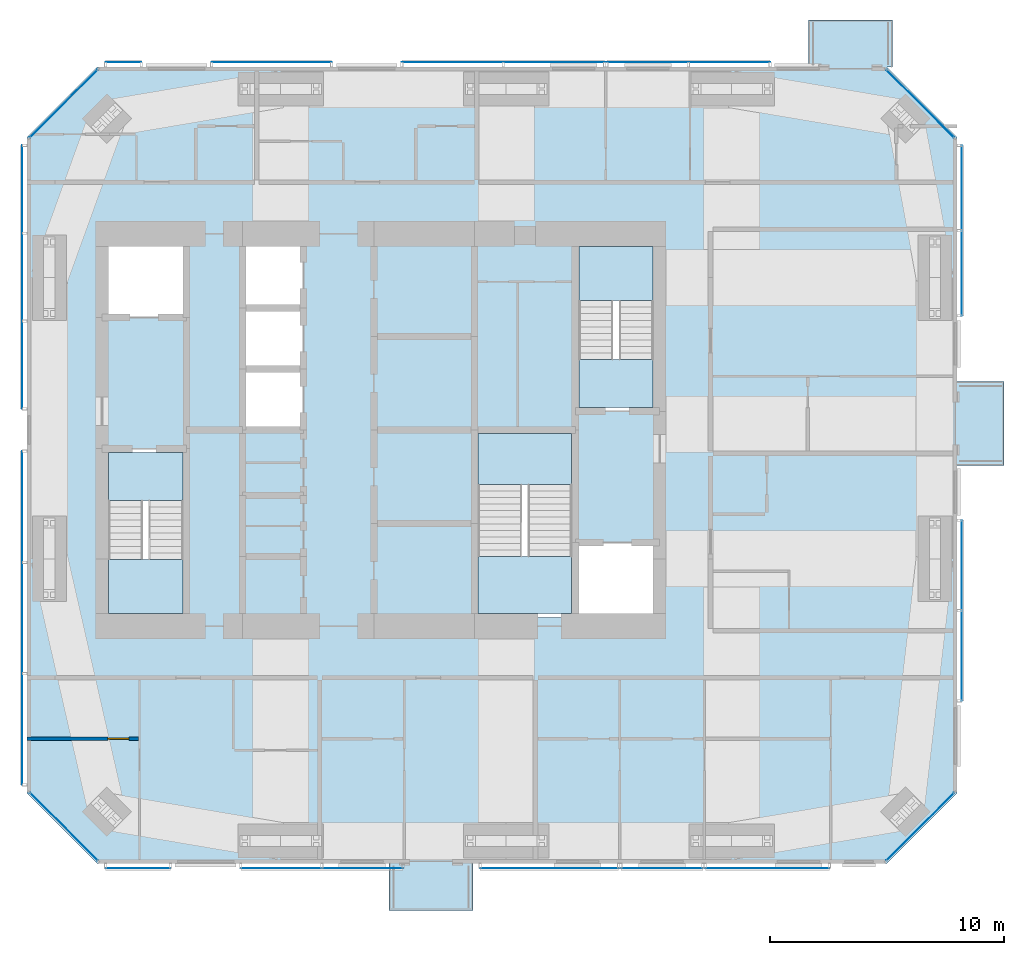
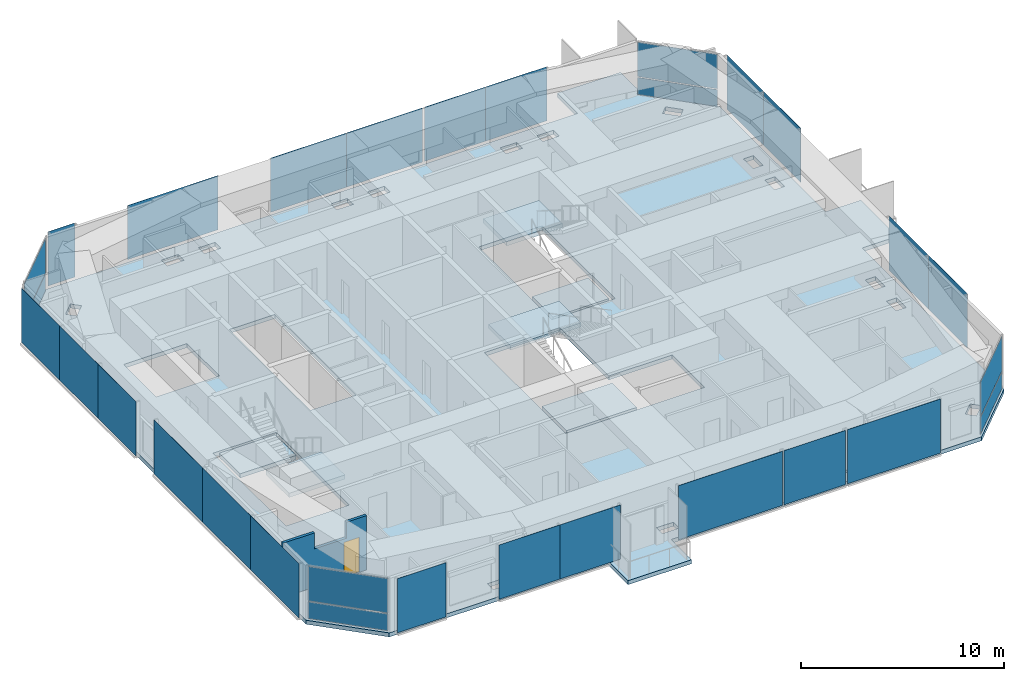
# One storey, part 11 of 18: 30 plates, 7 slabs, 1 door, 1 wall, 1 opening, 20 elements without a shape of their own.
"""IFC4 building model written with IfcOpenShell, lengths in metres."""

from ifc_helpers import new_model, si_unit, direction, frame, frame_2d, origin, origin_2d, place, context, subcontext, project, spatial, polyline, rectangle, outline, extrude, material, layer, layer_set, constituent, constituent_set, type_object, element, fill, aggregate, save


model = new_model("IFC4")

# Units and contexts
model_context = context("Model", 3, precision=1e-05, world=origin(), true_north=direction((0.0, 1.0)))
body_context = subcontext(model_context, "Body", "Model", "MODEL_VIEW")
ifc_project = project(units=[si_unit("LENGTHUNIT", "METRE"), si_unit("AREAUNIT", "SQUARE_METRE"), si_unit("VOLUMEUNIT", "CUBIC_METRE"), si_unit("PLANEANGLEUNIT", "RADIAN"), si_unit("MASSUNIT", "GRAM", prefix="KILO")], contexts=[model_context])

# Site, building, storey
site_placement = place(None, origin())
site = spatial("IfcSite", under=ifc_project, at=site_placement, CompositionType="ELEMENT")
building_placement = place(site_placement, origin())
building = spatial("IfcBuilding", under=site, at=building_placement, Name="Jalousie Tower", CompositionType="ELEMENT")
storey_placement = place(building_placement, frame((0.0, 0.0, 235.449951171875)))
storey = spatial("IfcBuildingStorey", under=building, at=storey_placement, Name="L64", CompositionType="ELEMENT", Elevation=235.449951171875)

# Curtain wall, plates
ifc_material_1 = material(Name="Aluminium curtain wall", Category="aluminium")
curtain_wall_type_1 = type_object("IfcCurtainWallType", Name="CORNER WINDOW WALL", PredefinedType="USERDEFINED", material=ifc_material_1)
curtain_wall_1_placement = place(storey_placement, origin())
curtain_wall_1 = element("IfcCurtainWall", 1, at=curtain_wall_1_placement, inside=storey, type_object=curtain_wall_type_1, Name="Corner Window Wall L64 2", ObjectType="CORNER WINDOW WALL", PredefinedType="USERDEFINED")
ifc_material_2 = material(Name="Laminated impact-rated spandrel glass", Category="glass")
ifc_layer_1 = layer(ifc_material_2, 0.028076171875)
ifc_layer_set_1 = layer_set([ifc_layer_1], Name="Laminated impact-rated spandrel glass")
plate_type_1 = type_object("IfcPlateType", Name="CORNER WINDOW WALL PANEL", PredefinedType="CURTAIN_PANEL", material=ifc_layer_set_1)
plate_1_placement = place(storey_placement, frame((54.9306640625, 1.5693359375, 0.06005859375), z_axis=(0.0, 0.0, 1.0), x_axis=(0.707106781187, 0.707106781187, 0.0)))
plate_1 = element("IfcPlate", 2, at=plate_1_placement, type_object=plate_type_1, Name="CW-C panel 1.1", PredefinedType="CURTAIN_PANEL", context=body_context, shape_type="SweptSolid", body=[
    extrude(rectangle(XDim=4.071533203125, YDim=0.028076171875, at=origin_2d()), origin(), (0.0, 0.0, 1.0), 1.010009765625),
])
plate_2_placement = place(storey_placement, frame((54.9306640625, 1.5693359375, 1.1298828125), z_axis=(0.0, 0.0, 1.0), x_axis=(0.707106781187, 0.707106781187, 0.0)))
plate_2 = element("IfcPlate", 3, at=plate_2_placement, type_object=plate_type_1, Name="CW-C panel 1.2", PredefinedType="CURTAIN_PANEL", context=body_context, shape_type="SweptSolid", body=[
    extrude(rectangle(XDim=4.071533203125, YDim=0.028076171875, at=origin_2d()), origin(), (0.0, 0.0, 1.0), 2.070068359375),
])
aggregate(curtain_wall_1, [plate_1, plate_2])

curtain_wall_2_placement = place(storey_placement, origin())
curtain_wall_2 = element("IfcCurtainWall", 4, at=curtain_wall_2_placement, inside=storey, type_object=curtain_wall_type_1, Name="Corner Window Wall L64 4", ObjectType="CORNER WINDOW WALL", PredefinedType="USERDEFINED")
plate_3_placement = place(storey_placement, frame((54.9306640625, 32.4306640625, 0.06005859375), z_axis=(0.0, 0.0, 1.0), x_axis=(-0.707106781187, 0.707106781187, 0.0)))
plate_3 = element("IfcPlate", 5, at=plate_3_placement, type_object=plate_type_1, Name="CW-C panel 1.1", PredefinedType="CURTAIN_PANEL", context=body_context, shape_type="SweptSolid", body=[
    extrude(rectangle(XDim=4.071533203125, YDim=0.028076171875, at=origin_2d()), origin(), (0.0, 0.0, 1.0), 1.010009765625),
])
plate_4_placement = place(storey_placement, frame((54.9306640625, 32.4306640625, 1.1298828125), z_axis=(0.0, 0.0, 1.0), x_axis=(-0.707106781187, 0.707106781187, 0.0)))
plate_4 = element("IfcPlate", 6, at=plate_4_placement, type_object=plate_type_1, Name="CW-C panel 1.2", PredefinedType="CURTAIN_PANEL", context=body_context, shape_type="SweptSolid", body=[
    extrude(rectangle(XDim=4.071533203125, YDim=0.028076171875, at=origin_2d()), origin(), (0.0, 0.0, 1.0), 2.070068359375),
])
aggregate(curtain_wall_2, [plate_3, plate_4])

curtain_wall_3_placement = place(storey_placement, origin())
curtain_wall_3 = element("IfcCurtainWall", 7, at=curtain_wall_3_placement, inside=storey, type_object=curtain_wall_type_1, Name="Corner Window Wall L64 6", ObjectType="CORNER WINDOW WALL", PredefinedType="USERDEFINED")
plate_5_placement = place(storey_placement, frame((18.369384765625, 32.4306640625, 0.06005859375), z_axis=(0.0, 0.0, 1.0), x_axis=(-0.707106781187, -0.707106781187, 0.0)))
plate_5 = element("IfcPlate", 8, at=plate_5_placement, type_object=plate_type_1, Name="CW-C panel 1.1", PredefinedType="CURTAIN_PANEL", context=body_context, shape_type="SweptSolid", body=[
    extrude(rectangle(XDim=4.071533203125, YDim=0.028076171875, at=origin_2d()), origin(), (0.0, 0.0, 1.0), 1.010009765625),
])
plate_6_placement = place(storey_placement, frame((18.369384765625, 32.4306640625, 1.1298828125), z_axis=(0.0, 0.0, 1.0), x_axis=(-0.707106781187, -0.707106781187, 0.0)))
plate_6 = element("IfcPlate", 9, at=plate_6_placement, type_object=plate_type_1, Name="CW-C panel 1.2", PredefinedType="CURTAIN_PANEL", context=body_context, shape_type="SweptSolid", body=[
    extrude(rectangle(XDim=4.071533203125, YDim=0.028076171875, at=origin_2d()), origin(), (0.0, 0.0, 1.0), 2.070068359375),
])
aggregate(curtain_wall_3, [plate_5, plate_6])

curtain_wall_4_placement = place(storey_placement, origin())
curtain_wall_4 = element("IfcCurtainWall", 10, at=curtain_wall_4_placement, inside=storey, type_object=curtain_wall_type_1, Name="Corner Window Wall L64 8", ObjectType="CORNER WINDOW WALL", PredefinedType="USERDEFINED")
plate_7_placement = place(storey_placement, frame((18.369384765625, 1.5693359375, 0.06005859375), z_axis=(0.0, 0.0, 1.0), x_axis=(0.707106781187, -0.707106781187, 0.0)))
plate_7 = element("IfcPlate", 11, at=plate_7_placement, type_object=plate_type_1, Name="CW-C panel 1.1", PredefinedType="CURTAIN_PANEL", context=body_context, shape_type="SweptSolid", body=[
    extrude(rectangle(XDim=4.071533203125, YDim=0.028076171875, at=origin_2d()), origin(), (0.0, 0.0, 1.0), 1.010009765625),
])
plate_8_placement = place(storey_placement, frame((18.369384765625, 1.5693359375, 1.1298828125), z_axis=(0.0, 0.0, 1.0), x_axis=(0.707106781187, -0.707106781187, 0.0)))
plate_8 = element("IfcPlate", 12, at=plate_8_placement, type_object=plate_type_1, Name="CW-C panel 1.2", PredefinedType="CURTAIN_PANEL", context=body_context, shape_type="SweptSolid", body=[
    extrude(rectangle(XDim=4.071533203125, YDim=0.028076171875, at=origin_2d()), origin(), (0.0, 0.0, 1.0), 2.070068359375),
])
aggregate(curtain_wall_4, [plate_7, plate_8])

# Slab
ifc_material_3 = material(Name="Concrete f'c 40 MPa", Category="concrete")
ifc_layer_2 = layer(ifc_material_3, 0.239990234375)
ifc_layer_set_2 = layer_set([ifc_layer_2], Name="Concrete f'c 40 MPa")
slab_type_1 = type_object("IfcSlabType", Name="FLOOR SLAB 240", PredefinedType="FLOOR", material=ifc_layer_set_2)
slab_1_placement = place(storey_placement, frame((0.0, 0.0, -0.239990234375)))
element("IfcSlab", 13, at=slab_1_placement, inside=storey, type_object=slab_type_1, Name="L64 floor slab", PredefinedType="FLOOR", context=body_context, shape_type="SweptSolid", body=[
    extrude(outline(polyline([(19.800048828125, 34.0), (50.148681640625, 34.0), (50.148681640625, 36.0), (53.748779296875, 36.0), (53.748779296875, 34.0), (53.5, 34.0), (56.5, 31.0), (56.5, 20.574951171875), (58.5, 20.574951171875), (58.5, 16.97509765625), (56.5, 16.97509765625), (56.5, 3.0), (53.5, 0.0), (35.840087890625, 0.0), (35.840087890625, -2.0), (32.239990234375, -2.0), (32.239990234375, 0.0), (19.800048828125, 0.0), (16.800048828125, 3.0), (16.800048828125, 31.0), (19.800048828125, 34.0)]), holes=[polyline([(55.263916015625, 24.425537109375), (55.263916015625, 23.47509765625), (55.836181640625, 23.47509765625), (55.836181640625, 24.425537109375), (55.263916015625, 24.425537109375)]), polyline([(55.263916015625, 14.52490234375), (55.263916015625, 13.574462890625), (55.836181640625, 13.574462890625), (55.836181640625, 14.52490234375), (55.263916015625, 14.52490234375)]), polyline([(55.263916015625, 12.425537109375), (55.263916015625, 11.47509765625), (55.836181640625, 11.47509765625), (55.836181640625, 12.425537109375), (55.263916015625, 12.425537109375)]), polyline([(55.263916015625, 25.574462890625), (55.836181640625, 25.574462890625), (55.836181640625, 26.52490234375), (55.263916015625, 26.52490234375), (55.263916015625, 25.574462890625)]), polyline([(54.40869140625, 2.727783203125), (53.772216796875, 2.09130859375), (54.177001953125, 1.6865234375), (54.8134765625, 2.322998046875), (54.40869140625, 2.727783203125)]), polyline([(54.8134765625, 31.677001953125), (54.177001953125, 32.3134765625), (53.772216796875, 31.90869140625), (54.40869140625, 31.272216796875), (54.8134765625, 31.677001953125)]), polyline([(48.39990234375, 32.763916015625), (48.39990234375, 33.336181640625), (47.449462890625, 33.336181640625), (47.449462890625, 32.763916015625), (48.39990234375, 32.763916015625)]), polyline([(48.39990234375, 0.663818359375), (48.39990234375, 1.236083984375), (47.449462890625, 1.236083984375), (47.449462890625, 0.663818359375), (48.39990234375, 0.663818359375)]), polyline([(45.35009765625, 1.236083984375), (45.35009765625, 0.663818359375), (46.300537109375, 0.663818359375), (46.300537109375, 1.236083984375), (45.35009765625, 1.236083984375)]), polyline([(45.35009765625, 32.763916015625), (46.300537109375, 32.763916015625), (46.300537109375, 33.336181640625), (45.35009765625, 33.336181640625), (45.35009765625, 32.763916015625)]), polyline([(40.199951171875, 26.5), (40.199951171875, 19.300048828125), (43.800048828125, 19.300048828125), (43.800048828125, 26.5), (40.199951171875, 26.5)]), polyline([(40.199951171875, 13.699951171875), (40.199951171875, 18.5), (35.89990234375, 18.5), (35.89990234375, 10.5), (43.800048828125, 10.5), (43.800048828125, 13.699951171875), (40.199951171875, 13.699951171875)]), polyline([(38.77490234375, 33.336181640625), (37.824462890625, 33.336181640625), (37.824462890625, 32.763916015625), (38.77490234375, 32.763916015625), (38.77490234375, 33.336181640625)]), polyline([(38.77490234375, 1.236083984375), (37.824462890625, 1.236083984375), (37.824462890625, 0.663818359375), (38.77490234375, 0.663818359375), (38.77490234375, 1.236083984375)]), polyline([(35.72509765625, 32.763916015625), (36.675537109375, 32.763916015625), (36.675537109375, 33.336181640625), (35.72509765625, 33.336181640625), (35.72509765625, 32.763916015625)]), polyline([(35.72509765625, 0.663818359375), (36.675537109375, 0.663818359375), (36.675537109375, 1.236083984375), (35.72509765625, 1.236083984375), (35.72509765625, 0.663818359375)]), polyline([(29.14990234375, 1.236083984375), (28.199462890625, 1.236083984375), (28.199462890625, 0.663818359375), (29.14990234375, 0.663818359375), (29.14990234375, 1.236083984375)]), polyline([(28.199462890625, 32.763916015625), (29.14990234375, 32.763916015625), (29.14990234375, 33.336181640625), (28.199462890625, 33.336181640625), (28.199462890625, 32.763916015625)]), polyline([(26.0, 26.5), (26.0, 18.5), (28.60009765625, 18.5), (28.60009765625, 26.5), (26.0, 26.5)]), polyline([(27.050537109375, 33.336181640625), (26.10009765625, 33.336181640625), (26.10009765625, 32.763916015625), (27.050537109375, 32.763916015625), (27.050537109375, 33.336181640625)]), polyline([(27.050537109375, 1.236083984375), (26.10009765625, 1.236083984375), (26.10009765625, 0.663818359375), (27.050537109375, 0.663818359375), (27.050537109375, 1.236083984375)]), polyline([(20.0, 26.5), (20.0, 23.300048828125), (23.60009765625, 23.300048828125), (23.60009765625, 26.5), (20.0, 26.5)]), polyline([(20.0, 17.699951171875), (20.0, 10.5), (23.60009765625, 10.5), (23.60009765625, 17.699951171875), (20.0, 17.699951171875)]), polyline([(20.727783203125, 2.09130859375), (20.09130859375, 2.727783203125), (19.6865234375, 2.322998046875), (20.322998046875, 1.6865234375), (20.727783203125, 2.09130859375)]), polyline([(20.727783203125, 31.90869140625), (20.322998046875, 32.3134765625), (19.6865234375, 31.677001953125), (20.09130859375, 31.272216796875), (20.727783203125, 31.90869140625)]), polyline([(17.4638671875, 26.52490234375), (17.4638671875, 25.574462890625), (18.0361328125, 25.574462890625), (18.0361328125, 26.52490234375), (17.4638671875, 26.52490234375)]), polyline([(17.4638671875, 12.425537109375), (17.4638671875, 11.47509765625), (18.0361328125, 11.47509765625), (18.0361328125, 12.425537109375), (17.4638671875, 12.425537109375)]), polyline([(18.0361328125, 23.47509765625), (18.0361328125, 24.425537109375), (17.4638671875, 24.425537109375), (17.4638671875, 23.47509765625), (18.0361328125, 23.47509765625)]), polyline([(17.4638671875, 13.574462890625), (18.0361328125, 13.574462890625), (18.0361328125, 14.52490234375), (17.4638671875, 14.52490234375), (17.4638671875, 13.574462890625)])]), origin(), (0.0, 0.0, 1.0), 0.239990234375),
])

# Curtain wall, plate
ifc_material_4 = material(Name="Perforated aluminium sheet", Category="aluminium")
curtain_wall_type_2 = type_object("IfcCurtainWallType", Name="SOLAR SCREEN SS-2", PredefinedType="USERDEFINED", material=ifc_material_4)
curtain_wall_5_placement = place(storey_placement, origin())
curtain_wall_5 = element("IfcCurtainWall", 14, at=curtain_wall_5_placement, inside=storey, type_object=curtain_wall_type_2, Name="Solar screen L64", ObjectType="SOLAR SCREEN SS-2", PredefinedType="USERDEFINED")
ifc_material_5 = material(Name="Perforated aluminium sheet", Category="aluminium")
ifc_layer_3 = layer(ifc_material_5, 0.006103515625)
ifc_layer_set_3 = layer_set([ifc_layer_3], Name="Perforated aluminium sheet")
plate_type_2 = type_object("IfcPlateType", Name="SOLAR SCREEN SS-2 PANEL", PredefinedType="CURTAIN_PANEL", material=ifc_layer_set_3)
plate_9_placement = place(storey_placement, frame((21.53759765625, -0.201171875, 0.0), z_axis=(0.0, 0.0, 1.0), x_axis=(1.0, 0.0, 0.0)))
plate_9 = element("IfcPlate", 15, at=plate_9_placement, type_object=plate_type_2, Name="SS2 perforated panel 1", PredefinedType="CURTAIN_PANEL", context=body_context, shape_type="SweptSolid", body=[
    extrude(rectangle(XDim=2.7724609375, YDim=0.006103515625, at=origin_2d()), origin(), (0.0, 0.0, 1.0), 3.260009765625),
])
aggregate(curtain_wall_5, [plate_9])

# Curtain wall, plates
curtain_wall_6_placement = place(storey_placement, origin())
curtain_wall_6 = element("IfcCurtainWall", 16, at=curtain_wall_6_placement, inside=storey, type_object=curtain_wall_type_2, Name="Solar screen L64", ObjectType="SOLAR SCREEN SS-2", PredefinedType="USERDEFINED")
plate_10_placement = place(storey_placement, frame((27.6552734375, -0.201171875, 0.0), z_axis=(0.0, 0.0, 1.0), x_axis=(1.0, 0.0, 0.0)))
plate_10 = element("IfcPlate", 17, at=plate_10_placement, type_object=plate_type_2, Name="SS2 perforated panel 1", PredefinedType="CURTAIN_PANEL", context=body_context, shape_type="SweptSolid", body=[
    extrude(rectangle(XDim=3.463134765625, YDim=0.006103515625, at=origin_2d()), origin(), (0.0, 0.0, 1.0), 3.260009765625),
])
plate_11_placement = place(storey_placement, frame((31.118408203125, -0.201171875, 0.0), z_axis=(0.0, 0.0, 1.0), x_axis=(1.0, 0.0, 0.0)))
plate_11 = element("IfcPlate", 18, at=plate_11_placement, type_object=plate_type_2, Name="SS2 perforated panel 2", PredefinedType="CURTAIN_PANEL", context=body_context, shape_type="SweptSolid", body=[
    extrude(rectangle(XDim=3.463134765625, YDim=0.006103515625, at=origin_2d()), origin(), (0.0, 0.0, 1.0), 3.260009765625),
])
aggregate(curtain_wall_6, [plate_10, plate_11])

# Curtain wall, plate
curtain_wall_7_placement = place(storey_placement, origin())
curtain_wall_7 = element("IfcCurtainWall", 19, at=curtain_wall_7_placement, inside=storey, type_object=curtain_wall_type_2, Name="Solar screen L64", ObjectType="SOLAR SCREEN SS-2", PredefinedType="USERDEFINED")
plate_12_placement = place(storey_placement, frame((39.094970703125, -0.201171875, 0.0), z_axis=(0.0, 0.0, 1.0), x_axis=(1.0, 0.0, 0.0)))
plate_12 = element("IfcPlate", 20, at=plate_12_placement, type_object=plate_type_2, Name="SS2 perforated panel 1", PredefinedType="CURTAIN_PANEL", context=body_context, shape_type="SweptSolid", body=[
    extrude(rectangle(XDim=5.909912109375, YDim=0.006103515625, at=origin_2d()), origin(), (0.0, 0.0, 1.0), 3.260009765625),
])
aggregate(curtain_wall_7, [plate_12])

curtain_wall_8_placement = place(storey_placement, origin())
curtain_wall_8 = element("IfcCurtainWall", 21, at=curtain_wall_8_placement, inside=storey, type_object=curtain_wall_type_2, Name="Solar screen L64", ObjectType="SOLAR SCREEN SS-2", PredefinedType="USERDEFINED")
plate_13_placement = place(storey_placement, frame((43.89990234375, -0.201171875, 0.0), z_axis=(0.0, 0.0, 1.0), x_axis=(1.0, 0.0, 0.0)))
plate_13 = element("IfcPlate", 22, at=plate_13_placement, type_object=plate_type_2, Name="SS2 perforated panel 1", PredefinedType="CURTAIN_PANEL", context=body_context, shape_type="SweptSolid", body=[
    extrude(rectangle(XDim=3.5, YDim=0.006103515625, at=origin_2d()), origin(), (0.0, 0.0, 1.0), 3.260009765625),
])
aggregate(curtain_wall_8, [plate_13])

curtain_wall_9_placement = place(storey_placement, origin())
curtain_wall_9 = element("IfcCurtainWall", 23, at=curtain_wall_9_placement, inside=storey, type_object=curtain_wall_type_2, Name="Solar screen L64", ObjectType="SOLAR SCREEN SS-2", PredefinedType="USERDEFINED")
plate_14_placement = place(storey_placement, frame((48.39990234375, -0.201171875, 0.0), z_axis=(0.0, 0.0, 1.0), x_axis=(1.0, 0.0, 0.0)))
plate_14 = element("IfcPlate", 24, at=plate_14_placement, type_object=plate_type_2, Name="SS2 perforated panel 1", PredefinedType="CURTAIN_PANEL", context=body_context, shape_type="SweptSolid", body=[
    extrude(rectangle(XDim=5.300048828125, YDim=0.006103515625, at=origin_2d()), origin(), (0.0, 0.0, 1.0), 3.260009765625),
])
aggregate(curtain_wall_9, [plate_14])

# Curtain wall, plates
curtain_wall_10_placement = place(storey_placement, origin())
curtain_wall_10 = element("IfcCurtainWall", 25, at=curtain_wall_10_placement, inside=storey, type_object=curtain_wall_type_2, Name="Solar screen L64", ObjectType="SOLAR SCREEN SS-2", PredefinedType="USERDEFINED")
plate_15_placement = place(storey_placement, frame((56.701171875, 8.86572265625, 0.0), z_axis=(0.0, 0.0, 1.0), x_axis=(0.0, 1.0, 0.0)))
plate_15 = element("IfcPlate", 26, at=plate_15_placement, type_object=plate_type_2, Name="SS2 perforated panel 1", PredefinedType="CURTAIN_PANEL", context=body_context, shape_type="SweptSolid", body=[
    extrude(rectangle(XDim=3.855224609375, YDim=0.006103515625, at=origin_2d()), origin(), (0.0, 0.0, 1.0), 3.260009765625),
])
plate_16_placement = place(storey_placement, frame((56.701171875, 12.720947265625, 0.0), z_axis=(0.0, 0.0, 1.0), x_axis=(0.0, 1.0, 0.0)))
plate_16 = element("IfcPlate", 27, at=plate_16_placement, type_object=plate_type_2, Name="SS2 perforated panel 2", PredefinedType="CURTAIN_PANEL", context=body_context, shape_type="SweptSolid", body=[
    extrude(rectangle(XDim=3.855224609375, YDim=0.006103515625, at=origin_2d()), origin(), (0.0, 0.0, 1.0), 3.260009765625),
])
aggregate(curtain_wall_10, [plate_15, plate_16])

curtain_wall_11_placement = place(storey_placement, origin())
curtain_wall_11 = element("IfcCurtainWall", 28, at=curtain_wall_11_placement, inside=storey, type_object=curtain_wall_type_2, Name="Solar screen L64", ObjectType="SOLAR SCREEN SS-2", PredefinedType="USERDEFINED")
plate_17_placement = place(storey_placement, frame((56.701171875, 25.193359375, 0.0), z_axis=(0.0, 0.0, 1.0), x_axis=(0.0, 1.0, 0.0)))
plate_17 = element("IfcPlate", 29, at=plate_17_placement, type_object=plate_type_2, Name="SS2 perforated panel 1", PredefinedType="CURTAIN_PANEL", context=body_context, shape_type="SweptSolid", body=[
    extrude(rectangle(XDim=3.636962890625, YDim=0.006103515625, at=origin_2d()), origin(), (0.0, 0.0, 1.0), 3.260009765625),
])
plate_18_placement = place(storey_placement, frame((56.701171875, 28.830322265625, 0.0), z_axis=(0.0, 0.0, 1.0), x_axis=(0.0, 1.0, 0.0)))
plate_18 = element("IfcPlate", 30, at=plate_18_placement, type_object=plate_type_2, Name="SS2 perforated panel 2", PredefinedType="CURTAIN_PANEL", context=body_context, shape_type="SweptSolid", body=[
    extrude(rectangle(XDim=3.636962890625, YDim=0.006103515625, at=origin_2d()), origin(), (0.0, 0.0, 1.0), 3.260009765625),
])
aggregate(curtain_wall_11, [plate_17, plate_18])

curtain_wall_12_placement = place(storey_placement, origin())
curtain_wall_12 = element("IfcCurtainWall", 31, at=curtain_wall_12_placement, inside=storey, type_object=curtain_wall_type_2, Name="Solar screen L64", ObjectType="SOLAR SCREEN SS-2", PredefinedType="USERDEFINED")
plate_19_placement = place(storey_placement, frame((46.772705078125, 34.201171875, 0.0), z_axis=(0.0, 0.0, 1.0), x_axis=(-1.0, 0.0, 0.0)))
plate_19 = element("IfcPlate", 32, at=plate_19_placement, type_object=plate_type_2, Name="SS2 perforated panel 1", PredefinedType="CURTAIN_PANEL", context=body_context, shape_type="SweptSolid", body=[
    extrude(rectangle(XDim=3.481689453125, YDim=0.006103515625, at=origin_2d()), origin(), (0.0, 0.0, 1.0), 3.260009765625),
])
plate_20_placement = place(storey_placement, frame((43.291015625, 34.201171875, 0.0), z_axis=(0.0, 0.0, 1.0), x_axis=(-1.0, 0.0, 0.0)))
plate_20 = element("IfcPlate", 33, at=plate_20_placement, type_object=plate_type_2, Name="SS2 perforated panel 2", PredefinedType="CURTAIN_PANEL", context=body_context, shape_type="SweptSolid", body=[
    extrude(rectangle(XDim=3.481689453125, YDim=0.006103515625, at=origin_2d()), origin(), (0.0, 0.0, 1.0), 3.260009765625),
])
aggregate(curtain_wall_12, [plate_19, plate_20])

curtain_wall_13_placement = place(storey_placement, origin())
curtain_wall_13 = element("IfcCurtainWall", 34, at=curtain_wall_13_placement, inside=storey, type_object=curtain_wall_type_2, Name="Solar screen L64", ObjectType="SOLAR SCREEN SS-2", PredefinedType="USERDEFINED")
plate_21_placement = place(storey_placement, frame((39.28759765625, 34.201171875, 0.0), z_axis=(0.0, 0.0, 1.0), x_axis=(-1.0, 0.0, 0.0)))
plate_21 = element("IfcPlate", 35, at=plate_21_placement, type_object=plate_type_2, Name="SS2 perforated panel 1", PredefinedType="CURTAIN_PANEL", context=body_context, shape_type="SweptSolid", body=[
    extrude(rectangle(XDim=4.324951171875, YDim=0.006103515625, at=origin_2d()), origin(), (0.0, 0.0, 1.0), 3.260009765625),
])
plate_22_placement = place(storey_placement, frame((34.96240234375, 34.201171875, 0.0), z_axis=(0.0, 0.0, 1.0), x_axis=(-1.0, 0.0, 0.0)))
plate_22 = element("IfcPlate", 36, at=plate_22_placement, type_object=plate_type_2, Name="SS2 perforated panel 2", PredefinedType="CURTAIN_PANEL", context=body_context, shape_type="SweptSolid", body=[
    extrude(rectangle(XDim=4.324951171875, YDim=0.006103515625, at=origin_2d()), origin(), (0.0, 0.0, 1.0), 3.260009765625),
])
aggregate(curtain_wall_13, [plate_21, plate_22])

# Curtain wall, plate
curtain_wall_14_placement = place(storey_placement, origin())
curtain_wall_14 = element("IfcCurtainWall", 37, at=curtain_wall_14_placement, inside=storey, type_object=curtain_wall_type_2, Name="Solar screen L64", ObjectType="SOLAR SCREEN SS-2", PredefinedType="USERDEFINED")
plate_23_placement = place(storey_placement, frame((27.23779296875, 34.201171875, 0.0), z_axis=(0.0, 0.0, 1.0), x_axis=(-1.0, 0.0, 0.0)))
plate_23 = element("IfcPlate", 38, at=plate_23_placement, type_object=plate_type_2, Name="SS2 perforated panel 1", PredefinedType="CURTAIN_PANEL", context=body_context, shape_type="SweptSolid", body=[
    extrude(rectangle(XDim=5.12451171875, YDim=0.006103515625, at=origin_2d()), origin(), (0.0, 0.0, 1.0), 3.260009765625),
])
aggregate(curtain_wall_14, [plate_23])

curtain_wall_15_placement = place(storey_placement, origin())
curtain_wall_15 = element("IfcCurtainWall", 39, at=curtain_wall_15_placement, inside=storey, type_object=curtain_wall_type_2, Name="Solar screen L64", ObjectType="SOLAR SCREEN SS-2", PredefinedType="USERDEFINED")
plate_24_placement = place(storey_placement, frame((20.913330078125, 34.201171875, 0.0), z_axis=(0.0, 0.0, 1.0), x_axis=(-1.0, 0.0, 0.0)))
plate_24 = element("IfcPlate", 40, at=plate_24_placement, type_object=plate_type_2, Name="SS2 perforated panel 1", PredefinedType="CURTAIN_PANEL", context=body_context, shape_type="SweptSolid", body=[
    extrude(rectangle(XDim=1.5244140625, YDim=0.006103515625, at=origin_2d()), origin(), (0.0, 0.0, 1.0), 3.260009765625),
])
aggregate(curtain_wall_15, [plate_24])

# Curtain wall, plates
curtain_wall_16_placement = place(storey_placement, origin())
curtain_wall_16 = element("IfcCurtainWall", 41, at=curtain_wall_16_placement, inside=storey, type_object=curtain_wall_type_2, Name="Solar screen L64", ObjectType="SOLAR SCREEN SS-2", PredefinedType="USERDEFINED")
plate_25_placement = place(storey_placement, frame((16.598876953125, 28.77392578125, 0.0), z_axis=(0.0, 0.0, 1.0), x_axis=(0.0, -1.0, 0.0)))
plate_25 = element("IfcPlate", 42, at=plate_25_placement, type_object=plate_type_2, Name="SS2 perforated panel 1", PredefinedType="CURTAIN_PANEL", context=body_context, shape_type="SweptSolid", body=[
    extrude(rectangle(XDim=3.74951171875, YDim=0.006103515625, at=origin_2d()), origin(), (0.0, 0.0, 1.0), 3.260009765625),
])
plate_26_placement = place(storey_placement, frame((16.598876953125, 25.0244140625, 0.0), z_axis=(0.0, 0.0, 1.0), x_axis=(0.0, -1.0, 0.0)))
plate_26 = element("IfcPlate", 43, at=plate_26_placement, type_object=plate_type_2, Name="SS2 perforated panel 2", PredefinedType="CURTAIN_PANEL", context=body_context, shape_type="SweptSolid", body=[
    extrude(rectangle(XDim=3.74951171875, YDim=0.006103515625, at=origin_2d()), origin(), (0.0, 0.0, 1.0), 3.260009765625),
])
plate_27_placement = place(storey_placement, frame((16.598876953125, 21.27490234375, 0.0), z_axis=(0.0, 0.0, 1.0), x_axis=(0.0, -1.0, 0.0)))
plate_27 = element("IfcPlate", 44, at=plate_27_placement, type_object=plate_type_2, Name="SS2 perforated panel 3", PredefinedType="CURTAIN_PANEL", context=body_context, shape_type="SweptSolid", body=[
    extrude(rectangle(XDim=3.74951171875, YDim=0.006103515625, at=origin_2d()), origin(), (0.0, 0.0, 1.0), 3.260009765625),
])
aggregate(curtain_wall_16, [plate_25, plate_26, plate_27])

curtain_wall_17_placement = place(storey_placement, origin())
curtain_wall_17 = element("IfcCurtainWall", 45, at=curtain_wall_17_placement, inside=storey, type_object=curtain_wall_type_2, Name="Solar screen L64", ObjectType="SOLAR SCREEN SS-2", PredefinedType="USERDEFINED")
plate_28_placement = place(storey_placement, frame((16.598876953125, 15.22509765625, 0.0), z_axis=(0.0, 0.0, 1.0), x_axis=(0.0, -1.0, 0.0)))
plate_28 = element("IfcPlate", 46, at=plate_28_placement, type_object=plate_type_2, Name="SS2 perforated panel 1", PredefinedType="CURTAIN_PANEL", context=body_context, shape_type="SweptSolid", body=[
    extrude(rectangle(XDim=4.74951171875, YDim=0.006103515625, at=origin_2d()), origin(), (0.0, 0.0, 1.0), 3.260009765625),
])
plate_29_placement = place(storey_placement, frame((16.598876953125, 10.4755859375, 0.0), z_axis=(0.0, 0.0, 1.0), x_axis=(0.0, -1.0, 0.0)))
plate_29 = element("IfcPlate", 47, at=plate_29_placement, type_object=plate_type_2, Name="SS2 perforated panel 2", PredefinedType="CURTAIN_PANEL", context=body_context, shape_type="SweptSolid", body=[
    extrude(rectangle(XDim=4.74951171875, YDim=0.006103515625, at=origin_2d()), origin(), (0.0, 0.0, 1.0), 3.260009765625),
])
plate_30_placement = place(storey_placement, frame((16.598876953125, 5.72607421875, 0.0), z_axis=(0.0, 0.0, 1.0), x_axis=(0.0, -1.0, 0.0)))
plate_30 = element("IfcPlate", 48, at=plate_30_placement, type_object=plate_type_2, Name="SS2 perforated panel 3", PredefinedType="CURTAIN_PANEL", context=body_context, shape_type="SweptSolid", body=[
    extrude(rectangle(XDim=4.74951171875, YDim=0.006103515625, at=origin_2d()), origin(), (0.0, 0.0, 1.0), 3.260009765625),
])
aggregate(curtain_wall_17, [plate_28, plate_29, plate_30])

# Stair, slabs
ifc_material_6 = material(Name="Concrete f'c 40 MPa", Category="concrete")
stair_type = type_object("IfcStairType", Name="EXIT STAIR", PredefinedType="HALF_TURN_STAIR", material=ifc_material_6)
stair_1_placement = place(storey_placement, origin())
stair_1 = element("IfcStair", 49, at=stair_1_placement, inside=storey, type_object=stair_type, Name="Exit stair A L64", PredefinedType="HALF_TURN_STAIR")
ifc_material_7 = material(Name="Concrete f'c 40 MPa", Category="concrete")
ifc_layer_4 = layer(ifc_material_7, 0.25)
ifc_layer_set_4 = layer_set([ifc_layer_4], Name="Concrete f'c 40 MPa")
slab_type_2 = type_object("IfcSlabType", Name="STAIR LANDING 250", PredefinedType="LANDING", material=ifc_layer_set_4)
slab_2_placement = place(storey_placement, frame((0.0, 0.0, -0.25)))
slab_2 = element("IfcSlab", 50, at=slab_2_placement, type_object=slab_type_2, Name="ST-A landing 1", PredefinedType="LANDING", context=body_context, shape_type="SweptSolid", body=[
    extrude(outline(polyline([(20.27490234375, 15.49755859375), (23.449951171875, 15.49755859375), (23.449951171875, 17.550048828125), (20.27490234375, 17.550048828125), (20.27490234375, 15.49755859375)])), origin(), (0.0, 0.0, 1.0), 0.25),
])
slab_3_placement = place(storey_placement, frame((0.0, 0.0, 1.5)))
slab_3 = element("IfcSlab", 51, at=slab_3_placement, type_object=slab_type_2, Name="ST-A landing 2", PredefinedType="LANDING", context=body_context, shape_type="SweptSolid", body=[
    extrude(outline(polyline([(20.27490234375, 10.675048828125), (23.449951171875, 10.675048828125), (23.449951171875, 12.9775390625), (20.27490234375, 12.9775390625), (20.27490234375, 10.675048828125)])), origin(), (0.0, 0.0, 1.0), 0.25),
])
aggregate(stair_1, [slab_2, slab_3])

stair_2_placement = place(storey_placement, origin())
stair_2 = element("IfcStair", 52, at=stair_2_placement, inside=storey, type_object=stair_type, Name="Exit stair B L64", PredefinedType="HALF_TURN_STAIR")
slab_4_placement = place(storey_placement, frame((0.0, 0.0, -0.25)))
slab_4 = element("IfcSlab", 53, at=slab_4_placement, type_object=slab_type_2, Name="ST-B landing 1", PredefinedType="LANDING", context=body_context, shape_type="SweptSolid", body=[
    extrude(outline(polyline([(40.35009765625, 19.449951171875), (43.52490234375, 19.449951171875), (43.52490234375, 21.50244140625), (40.35009765625, 21.50244140625), (40.35009765625, 19.449951171875)])), origin(), (0.0, 0.0, 1.0), 0.25),
])
slab_5_placement = place(storey_placement, frame((0.0, 0.0, 1.5)))
slab_5 = element("IfcSlab", 54, at=slab_5_placement, type_object=slab_type_2, Name="ST-B landing 2", PredefinedType="LANDING", context=body_context, shape_type="SweptSolid", body=[
    extrude(outline(polyline([(40.35009765625, 24.0224609375), (43.52490234375, 24.0224609375), (43.52490234375, 26.324951171875), (40.35009765625, 26.324951171875), (40.35009765625, 24.0224609375)])), origin(), (0.0, 0.0, 1.0), 0.25),
])
aggregate(stair_2, [slab_4, slab_5])

stair_3_placement = place(storey_placement, origin())
stair_3 = element("IfcStair", 55, at=stair_3_placement, inside=storey, type_object=stair_type, Name="Exit stair C L64", PredefinedType="HALF_TURN_STAIR")
slab_6_placement = place(storey_placement, frame((0.0, 0.0, -0.25)))
slab_6 = element("IfcSlab", 56, at=slab_6_placement, type_object=slab_type_2, Name="ST-C landing 1", PredefinedType="LANDING", context=body_context, shape_type="SweptSolid", body=[
    extrude(outline(polyline([(36.050048828125, 10.675048828125), (40.050048828125, 10.675048828125), (40.050048828125, 13.097412109375), (36.050048828125, 13.097412109375), (36.050048828125, 10.675048828125)])), origin(), (0.0, 0.0, 1.0), 0.25),
])
slab_7_placement = place(storey_placement, frame((0.0, 0.0, 1.5)))
slab_7 = element("IfcSlab", 57, at=slab_7_placement, type_object=slab_type_2, Name="ST-C landing 2", PredefinedType="LANDING", context=body_context, shape_type="SweptSolid", body=[
    extrude(outline(polyline([(36.050048828125, 16.177490234375), (40.050048828125, 16.177490234375), (40.050048828125, 18.35009765625), (36.050048828125, 18.35009765625), (36.050048828125, 16.177490234375)])), origin(), (0.0, 0.0, 1.0), 0.25),
])
aggregate(stair_3, [slab_6, slab_7])

# Wall, opening, door
ifc_material_8 = material(Name="Concrete block ASTM C90", Category="concrete")
ifc_constituent_1 = constituent(ifc_material_8, Name="Body")
ifc_material_9 = material(Name="Render")
ifc_constituent_2 = constituent(ifc_material_9, Name="Finish")
ifc_constituent_set = constituent_set(constituents=[ifc_constituent_1, ifc_constituent_2])
wall_type = type_object("IfcWallType", Name="BATHROOM WALL 150", PredefinedType="PLUMBINGWALL", material=ifc_constituent_set)
wall_placement = place(storey_placement, frame((16.800048828125, 5.324951171875, 0.0), z_axis=(0.0, 0.0, 1.0), x_axis=(1.0, 0.0, 0.0)))
wall = element("IfcWall", 58, at=wall_placement, inside=storey, type_object=wall_type, Name="Bathroom Wall 150 L64", PredefinedType="PLUMBINGWALL", context=body_context, shape_type="SweptSolid", body=[
    extrude(outline(polyline([(0.0, 0.0), (4.75, 0.0), (4.75, 3.260009765625), (3.60498046875, 3.260009765625), (3.60498046875, 2.300048828125), (1.78955078125, 2.300048828125), (1.78955078125, 3.260009765625), (0.0, 3.260009765625), (0.0, 0.0)])), frame((0.0, 0.074951171875, 0.0), z_axis=(0.0, -1.0, 0.0), x_axis=(1.0, 0.0, 0.0)), (0.0, 0.0, 1.0), 0.14990234375),
])
opening_placement = place(wall_placement, frame((3.449951171875, 0.0, 0.0)))
opening = element("IfcOpeningElement", 59, at=opening_placement, cuts=wall, Name="Opening D3", PredefinedType="OPENING", context=body_context, shape_type="SweptSolid", body=[
    extrude(rectangle(XDim=0.89990234375, YDim=2.10009765625, at=frame_2d((0.449951171875, 1.050048828125))), frame((0.0, 0.0849609375, 0.0), z_axis=(0.0, -1.0, 0.0), x_axis=(1.0, 0.0, 0.0)), (0.0, 0.0, 1.0), 0.169921875),
])
ifc_material_10 = material(Name="Timber door", Category="wood")
door_type = type_object("IfcDoorType", Name="BATHROOM DOOR 900", OperationType="SINGLE_SWING_LEFT", PredefinedType="DOOR", material=ifc_material_10)
door_placement = place(opening_placement, origin())
door = element("IfcDoor", 60, at=door_placement, inside=storey, type_object=door_type, Name="Apartment 6401 bedroom 1 bathroom door", OperationType="SINGLE_SWING_RIGHT", OverallHeight=2.10009765625, OverallWidth=0.89990234375, PredefinedType="DOOR", context=body_context, shape_type="SweptSolid", body=[
    extrude(rectangle(XDim=0.89990234375, YDim=2.10009765625, at=frame_2d((0.449951171875, 1.050048828125))), frame((0.0, 0.02490234375, 0.0), z_axis=(0.0, -1.0, 0.0), x_axis=(1.0, 0.0, 0.0)), (0.0, 0.0, 1.0), 0.050048828125),
])
fill(opening, door)

save(model, "model.ifc")
